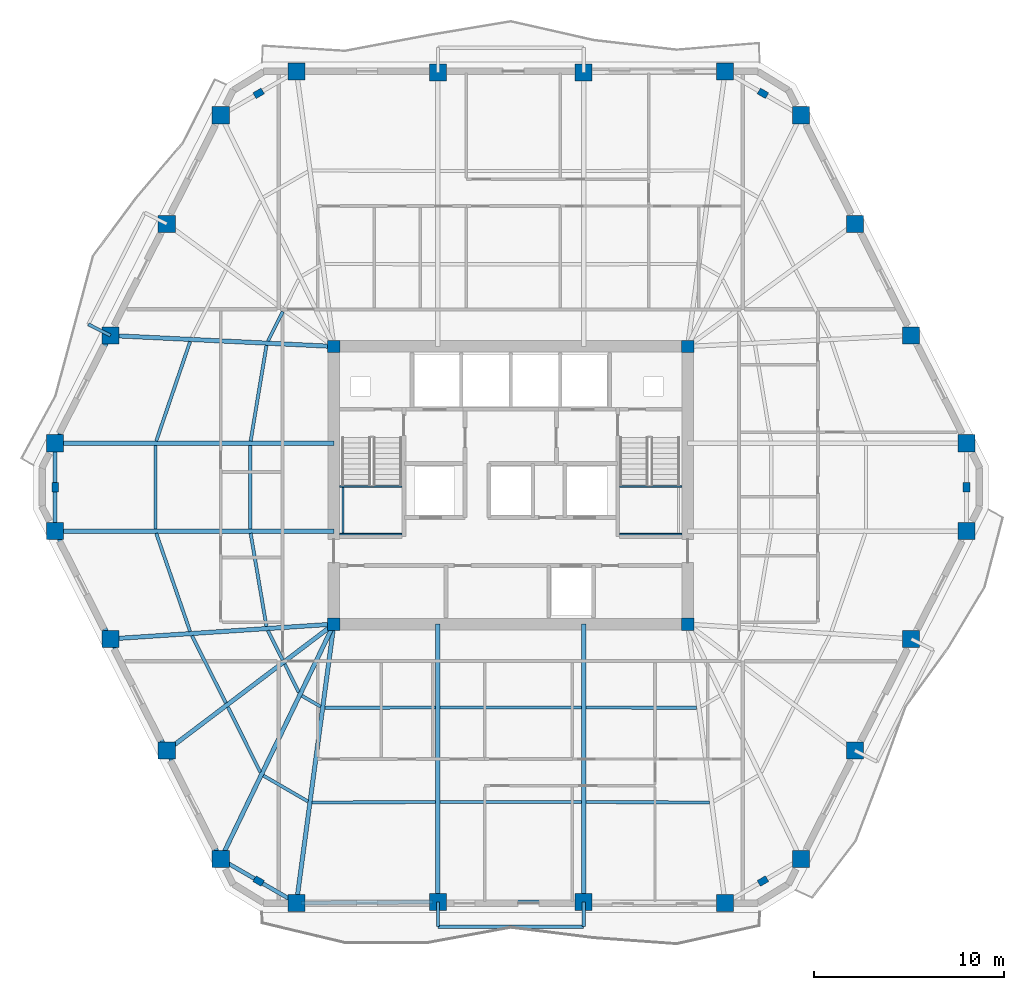
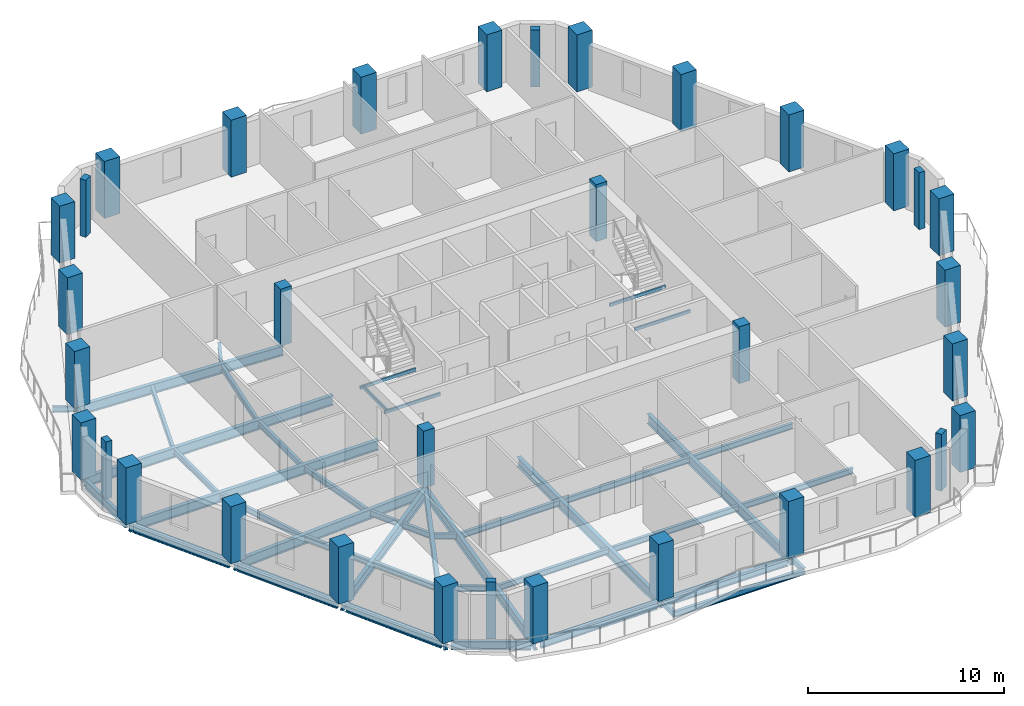
# One storey, part 1 of 10: 45 beams, 34 columns.
"""IFC4 building model written with IfcOpenShell, lengths in metres."""

from ifc_helpers import new_model, si_unit, direction, frame, origin, origin_2d, place, context, subcontext, project, spatial, rectangle, hollow_rectangle, i_section, extrude, material, material_profile, profile_set, type_object, element, save


model = new_model("IFC4")

# Units and contexts
model_context = context("Model", 3, precision=1e-05, world=origin(), true_north=direction((0.0, 1.0)))
body_context = subcontext(model_context, "Body", "Model", "MODEL_VIEW")
ifc_project = project(units=[si_unit("LENGTHUNIT", "METRE"), si_unit("AREAUNIT", "SQUARE_METRE"), si_unit("VOLUMEUNIT", "CUBIC_METRE"), si_unit("PLANEANGLEUNIT", "RADIAN"), si_unit("MASSUNIT", "GRAM", prefix="KILO")], contexts=[model_context])

# Site, building, storey
site_placement = place(None, origin())
site = spatial("IfcSite", under=ifc_project, at=site_placement, CompositionType="ELEMENT")
building_placement = place(site_placement, origin())
building = spatial("IfcBuilding", under=site, at=building_placement, Name="Cinnabar Lancet Tower", CompositionType="ELEMENT")
storey_placement = place(building_placement, frame((0.0, 0.0, 160.60009765625)))
storey = spatial("IfcBuildingStorey", under=building, at=storey_placement, Name="L42", CompositionType="ELEMENT", Elevation=160.60009765625)

# Columns
ifc_material_1 = material(Name="Concrete C60/75", Category="concrete")
ifc_material_profile_1 = material_profile(ifc_material_1, rectangle(XDim=0.64990234375, YDim=0.64990234375, at=origin_2d()), Name="RC-COL 650x650")
ifc_profile_set_1 = profile_set([ifc_material_profile_1], Name="Concrete C60/75")
column_type_1 = type_object("IfcColumnType", Name="STR-COL-CORE-650", PredefinedType="COLUMN", material=ifc_profile_set_1)
for number, where, z_axis, x_axis, name in (
    (1, (23.10009765625, 18.60009765625, 0.0), (0.0, 0.0, 1.0), (1.0, 0.0, 0.0), "L42 Core Corner Column SW"),
    (2, (41.699951171875, 18.60009765625, 0.0), (0.0, 0.0, 1.0), (1.0, 0.0, 0.0), "L42 Core Corner Column SE"),
    (3, (41.699951171875, 33.199951171875, 0.0), (0.0, 0.0, 1.0), (1.0, 0.0, 0.0), "L42 Core Corner Column NE"),
    (4, (23.10009765625, 33.199951171875, 0.0), (0.0, 0.0, 1.0), (1.0, 0.0, 0.0), "L42 Core Corner Column NW"),
):
    element("IfcColumn", number, at=place(storey_placement, frame(where, z_axis=z_axis, x_axis=x_axis)), inside=storey, type_object=column_type_1, Name=name, PredefinedType="COLUMN", context=body_context, shape_type="SweptSolid", body=[
        extrude(rectangle(XDim=0.64990234375, YDim=0.64990234375, at=origin_2d()), origin(), (0.0, 0.0, 1.0), 3.5498046875),
    ])
ifc_material_2 = material(Name="Concrete C60/75", Category="concrete")
ifc_material_profile_2 = material_profile(ifc_material_2, rectangle(XDim=0.5, YDim=0.35009765625, at=origin_2d()), Name="RC-PIL 500x350")
ifc_profile_set_2 = profile_set([ifc_material_profile_2], Name="Concrete C60/75")
column_type_2 = type_object("IfcColumnType", Name="STR-COL-PIL-500", PredefinedType="PILASTER", material=ifc_profile_set_2)
for number, where, z_axis, x_axis, name in (
    (5, (19.14111328125, 5.093017578125, 0.0), (0.0, 0.0, 1.0), (0.865160173452, -0.501495637342, 0.0), "L42 Chamfered Corner Pilaster 1"),
    (6, (45.658935546875, 5.093017578125, 0.0), (0.0, 0.0, 1.0), (0.865160173452, 0.501495637342, 0.0), "L42 Chamfered Corner Pilaster 2"),
    (7, (56.35693359375, 25.800048828125, 0.0), (0.0, 0.0, 1.0), (0.0, 1.0, 0.0), "L42 Chamfered Corner Pilaster 3"),
    (8, (45.658935546875, 46.508056640625, 0.0), (0.0, 0.0, 1.0), (-0.865160173452, 0.501495637342, 0.0), "L42 Chamfered Corner Pilaster 4"),
    (9, (19.14111328125, 46.508056640625, 0.0), (0.0, 0.0, 1.0), (-0.865160173452, -0.501495637342, 0.0), "L42 Chamfered Corner Pilaster 5"),
    (10, (8.443115234375, 25.800048828125, 0.0), (0.0, 0.0, 1.0), (0.0, -1.0, 0.0), "L42 Chamfered Corner Pilaster 6"),
):
    element("IfcColumn", number, at=place(storey_placement, frame(where, z_axis=z_axis, x_axis=x_axis)), inside=storey, type_object=column_type_2, Name=name, PredefinedType="PILASTER", context=body_context, shape_type="SweptSolid", body=[
        extrude(rectangle(XDim=0.5, YDim=0.35009765625, at=origin_2d()), origin(), (0.0, 0.0, 1.0), 3.5498046875),
    ])
ifc_material_3 = material(Name="Concrete C60/75", Category="concrete")
ifc_material_profile_3 = material_profile(ifc_material_3, rectangle(XDim=0.89990234375, YDim=0.89990234375, at=origin_2d()), Name="RC-COL 900x900")
ifc_profile_set_3 = profile_set([ifc_material_profile_3], Name="Concrete C60/75")
column_type_3 = type_object("IfcColumnType", Name="STR-COL-TUBE-900", PredefinedType="COLUMN", material=ifc_profile_set_3)
for number, where, z_axis, x_axis, name in (
    (11, (21.131103515625, 3.93896484375, 0.0), (0.0, 0.0, 1.0), (1.0, 0.0, 0.0), "L42 Perimeter Tube Column 1"),
    (12, (28.568115234375, 3.991943359375, 0.0), (0.0, 0.0, 1.0), (1.0, 0.0, 0.0), "L42 Perimeter Tube Column 2"),
    (13, (36.23193359375, 3.991943359375, 0.0), (0.0, 0.0, 1.0), (1.0, 0.0, 0.0), "L42 Perimeter Tube Column 3"),
    (14, (43.6689453125, 3.93896484375, 0.0), (0.0, 0.0, 1.0), (1.0, 0.0, 0.0), "L42 Perimeter Tube Column 4"),
    (15, (47.64892578125, 6.24609375, 0.0), (0.0, 0.0, 1.0), (1.0, 0.0, 0.0), "L42 Perimeter Tube Column 5"),
    (16, (50.489013671875, 11.955078125, 0.0), (0.0, 0.0, 1.0), (1.0, 0.0, 0.0), "L42 Perimeter Tube Column 6"),
    (17, (53.451904296875, 17.823974609375, 0.0), (0.0, 0.0, 1.0), (1.0, 0.0, 0.0), "L42 Perimeter Tube Column 7"),
    (18, (56.35693359375, 23.490966796875, 0.0), (0.0, 0.0, 1.0), (1.0, 0.0, 0.0), "L42 Perimeter Tube Column 8"),
    (19, (56.35693359375, 28.10888671875, 0.0), (0.0, 0.0, 1.0), (1.0, 0.0, 0.0), "L42 Perimeter Tube Column 9"),
    (20, (53.451904296875, 33.77587890625, 0.0), (0.0, 0.0, 1.0), (1.0, 0.0, 0.0), "L42 Perimeter Tube Column 10"),
    (21, (50.489013671875, 39.64501953125, 0.0), (0.0, 0.0, 1.0), (1.0, 0.0, 0.0), "L42 Perimeter Tube Column 11"),
    (22, (47.64892578125, 45.35400390625, 0.0), (0.0, 0.0, 1.0), (1.0, 0.0, 0.0), "L42 Perimeter Tube Column 12"),
    (23, (43.6689453125, 47.660888671875, 0.0), (0.0, 0.0, 1.0), (1.0, 0.0, 0.0), "L42 Perimeter Tube Column 13"),
    (24, (36.23193359375, 47.60791015625, 0.0), (0.0, 0.0, 1.0), (1.0, 0.0, 0.0), "L42 Perimeter Tube Column 14"),
    (25, (28.568115234375, 47.60791015625, 0.0), (0.0, 0.0, 1.0), (1.0, 0.0, 0.0), "L42 Perimeter Tube Column 15"),
    (26, (21.131103515625, 47.660888671875, 0.0), (0.0, 0.0, 1.0), (1.0, 0.0, 0.0), "L42 Perimeter Tube Column 16"),
    (27, (17.15087890625, 45.35400390625, 0.0), (0.0, 0.0, 1.0), (1.0, 0.0, 0.0), "L42 Perimeter Tube Column 17"),
    (28, (14.31103515625, 39.64501953125, 0.0), (0.0, 0.0, 1.0), (1.0, 0.0, 0.0), "L42 Perimeter Tube Column 18"),
    (29, (11.347900390625, 33.77587890625, 0.0), (0.0, 0.0, 1.0), (1.0, 0.0, 0.0), "L42 Perimeter Tube Column 19"),
    (30, (8.443115234375, 28.10888671875, 0.0), (0.0, 0.0, 1.0), (1.0, 0.0, 0.0), "L42 Perimeter Tube Column 20"),
    (31, (8.443115234375, 23.490966796875, 0.0), (0.0, 0.0, 1.0), (1.0, 0.0, 0.0), "L42 Perimeter Tube Column 21"),
    (32, (11.347900390625, 17.823974609375, 0.0), (0.0, 0.0, 1.0), (1.0, 0.0, 0.0), "L42 Perimeter Tube Column 22"),
    (33, (14.31103515625, 11.955078125, 0.0), (0.0, 0.0, 1.0), (1.0, 0.0, 0.0), "L42 Perimeter Tube Column 23"),
    (34, (17.15087890625, 6.24609375, 0.0), (0.0, 0.0, 1.0), (1.0, 0.0, 0.0), "L42 Perimeter Tube Column 24"),
):
    element("IfcColumn", number, at=place(storey_placement, frame(where, z_axis=z_axis, x_axis=x_axis)), inside=storey, type_object=column_type_3, Name=name, PredefinedType="COLUMN", context=body_context, shape_type="SweptSolid", body=[
        extrude(rectangle(XDim=0.89990234375, YDim=0.89990234375, at=origin_2d()), origin(), (0.0, 0.0, 1.0), 3.5498046875),
    ])

# Beams
ifc_material_4 = material(Name="Structural steel S355", Category="steel")
ifc_material_profile_4 = material_profile(ifc_material_4, i_section(OverallWidth=0.17138671875, OverallDepth=0.35498046875, WebThickness=0.00732421875, FlangeThickness=0.011474609375, FilletRadius=0.01025390625, at=origin_2d()), Name="UKB 356x171x51")
ifc_profile_set_4 = profile_set([ifc_material_profile_4], Name="Structural steel S355")
beam_type_1 = type_object("IfcBeamType", Name="STR-BM-JST-356", PredefinedType="JOIST", material=ifc_profile_set_4)
beam_1_placement = place(storey_placement, frame((13.759033203125, 23.376953125, -0.38818359375), z_axis=(0.326162915393, -0.945313573701, 0.0), x_axis=(0.945313573701, 0.326162915393, 0.0)))
element("IfcBeam", 35, at=beam_1_placement, inside=storey, type_object=beam_type_1, Name="L42 Secondary Floor Joist 1", PredefinedType="JOIST", context=body_context, shape_type="SweptSolid", body=[
    extrude(i_section(OverallWidth=0.17138671875, OverallDepth=0.35498046875, WebThickness=0.00732421875, FlangeThickness=0.011474609375, FilletRadius=0.01025390625, at=origin_2d()), origin(), (0.0, 0.0, 1.0), 5.46044921875),
])
beam_2_placement = place(storey_placement, frame((18.721923828125, 23.376953125, -0.38818359375), z_axis=(0.167697718414, -0.985838463055, 0.0), x_axis=(0.985838463055, 0.167697718414, 0.0)))
element("IfcBeam", 36, at=beam_2_placement, inside=storey, type_object=beam_type_1, Name="L42 Secondary Floor Joist 2", PredefinedType="JOIST", context=body_context, shape_type="SweptSolid", body=[
    extrude(i_section(OverallWidth=0.17138671875, OverallDepth=0.35498046875, WebThickness=0.00732421875, FlangeThickness=0.011474609375, FilletRadius=0.01025390625, at=origin_2d()), origin(), (0.0, 0.0, 1.0), 4.96728515625),
])
beam_3_placement = place(storey_placement, frame((15.635009765625, 17.992919921875, -0.38818359375), z_axis=(0.450656035687, -0.892697674187, 0.0), x_axis=(0.892697674187, 0.450656035687, 0.0)))
element("IfcBeam", 37, at=beam_3_placement, inside=storey, type_object=beam_type_1, Name="L42 Secondary Floor Joist 3", PredefinedType="JOIST", context=body_context, shape_type="SweptSolid", body=[
    extrude(i_section(OverallWidth=0.17138671875, OverallDepth=0.35498046875, WebThickness=0.00732421875, FlangeThickness=0.011474609375, FilletRadius=0.01025390625, at=origin_2d()), origin(), (0.0, 0.0, 1.0), 3.9677734375),
])
beam_4_placement = place(storey_placement, frame((19.6298828125, 18.257080078125, -0.38818359375), z_axis=(0.45064755491, -0.892701955444, 0.0), x_axis=(0.892701955444, 0.45064755491, 0.0)))
element("IfcBeam", 38, at=beam_4_placement, inside=storey, type_object=beam_type_1, Name="L42 Secondary Floor Joist 4", PredefinedType="JOIST", context=body_context, shape_type="SweptSolid", body=[
    extrude(i_section(OverallWidth=0.17138671875, OverallDepth=0.35498046875, WebThickness=0.00732421875, FlangeThickness=0.011474609375, FilletRadius=0.01025390625, at=origin_2d()), origin(), (0.0, 0.0, 1.0), 1.733154296875),
])
beam_5_placement = place(storey_placement, frame((17.527099609375, 14.242919921875, -0.38818359375), z_axis=(0.445320605596, -0.895371184611, 0.0), x_axis=(0.895371184611, 0.445320605596, 0.0)))
element("IfcBeam", 39, at=beam_5_placement, inside=storey, type_object=beam_type_1, Name="L42 Secondary Floor Joist 5", PredefinedType="JOIST", context=body_context, shape_type="SweptSolid", body=[
    extrude(i_section(OverallWidth=0.17138671875, OverallDepth=0.35498046875, WebThickness=0.00732421875, FlangeThickness=0.011474609375, FilletRadius=0.01025390625, at=origin_2d()), origin(), (0.0, 0.0, 1.0), 3.819580078125),
])
beam_6_placement = place(storey_placement, frame((20.514892578125, 16.5029296875, -0.38818359375), z_axis=(0.445322008813, -0.895370486708, 0.0), x_axis=(0.895370486708, 0.445322008813, 0.0)))
element("IfcBeam", 40, at=beam_6_placement, inside=storey, type_object=beam_type_1, Name="L42 Secondary Floor Joist 6", PredefinedType="JOIST", context=body_context, shape_type="SweptSolid", body=[
    extrude(i_section(OverallWidth=0.17138671875, OverallDepth=0.35498046875, WebThickness=0.00732421875, FlangeThickness=0.011474609375, FilletRadius=0.01025390625, at=origin_2d()), origin(), (0.0, 0.0, 1.0), 1.65283203125),
])
beam_7_placement = place(storey_placement, frame((19.39208984375, 10.635986328125, -0.38818359375), z_axis=(0.865150214692, -0.501512817403, 0.0), x_axis=(0.501512817403, 0.865150214692, 0.0)))
element("IfcBeam", 41, at=beam_7_placement, inside=storey, type_object=beam_type_1, Name="L42 Secondary Floor Joist 7", PredefinedType="JOIST", context=body_context, shape_type="SweptSolid", body=[
    extrude(i_section(OverallWidth=0.17138671875, OverallDepth=0.35498046875, WebThickness=0.00732421875, FlangeThickness=0.011474609375, FilletRadius=0.01025390625, at=origin_2d()), origin(), (0.0, 0.0, 1.0), 2.70556640625),
])
beam_8_placement = place(storey_placement, frame((21.4140625, 14.8359375, -0.38818359375), z_axis=(0.865426285481, -0.501036270542, 0.0), x_axis=(0.501036270542, 0.865426285481, 0.0)))
element("IfcBeam", 42, at=beam_8_placement, inside=storey, type_object=beam_type_1, Name="L42 Secondary Floor Joist 8", PredefinedType="JOIST", context=body_context, shape_type="SweptSolid", body=[
    extrude(i_section(OverallWidth=0.17138671875, OverallDepth=0.35498046875, WebThickness=0.00732421875, FlangeThickness=0.011474609375, FilletRadius=0.01025390625, at=origin_2d()), origin(), (0.0, 0.0, 1.0), 1.1416015625),
])
beam_9_placement = place(storey_placement, frame((21.955078125, 9.218017578125, -0.38818359375), z_axis=(0.999987891549, 0.004921052359, 0.0), x_axis=(-0.004921052359, 0.999987891549, 0.0)))
element("IfcBeam", 43, at=beam_9_placement, inside=storey, type_object=beam_type_1, Name="L42 Secondary Floor Joist 9", PredefinedType="JOIST", context=body_context, shape_type="SweptSolid", body=[
    extrude(i_section(OverallWidth=0.17138671875, OverallDepth=0.35498046875, WebThickness=0.00732421875, FlangeThickness=0.011474609375, FilletRadius=0.01025390625, at=origin_2d()), origin(), (0.0, 0.0, 1.0), 6.4990234375),
])
beam_10_placement = place(storey_placement, frame((22.6240234375, 14.201904296875, -0.38818359375), z_axis=(0.999996629591, 0.002596306157, 0.0), x_axis=(-0.002596306157, 0.999996629591, 0.0)))
element("IfcBeam", 44, at=beam_10_placement, inside=storey, type_object=beam_type_1, Name="L42 Secondary Floor Joist 10", PredefinedType="JOIST", context=body_context, shape_type="SweptSolid", body=[
    extrude(i_section(OverallWidth=0.17138671875, OverallDepth=0.35498046875, WebThickness=0.00732421875, FlangeThickness=0.011474609375, FilletRadius=0.01025390625, at=origin_2d()), origin(), (0.0, 0.0, 1.0), 5.830078125),
])
for number, where, z_axis, x_axis, name in (
    (45, (28.681884765625, 9.2509765625, -0.38818359375), (1.0, 0.0, 0.0), (0.0, 1.0, 0.0), "L42 Secondary Floor Joist 11"),
    (46, (28.681884765625, 14.218017578125, -0.38818359375), (1.0, 0.0, 0.0), (0.0, 1.0, 0.0), "L42 Secondary Floor Joist 12"),
):
    element("IfcBeam", number, at=place(storey_placement, frame(where, z_axis=z_axis, x_axis=x_axis)), inside=storey, type_object=beam_type_1, Name=name, PredefinedType="JOIST", context=body_context, shape_type="SweptSolid", body=[
        extrude(i_section(OverallWidth=0.17138671875, OverallDepth=0.35498046875, WebThickness=0.00732421875, FlangeThickness=0.011474609375, FilletRadius=0.01025390625, at=origin_2d()), origin(), (0.0, 0.0, 1.0), 7.43603515625),
    ])
beam_11_placement = place(storey_placement, frame((36.345947265625, 9.25, -0.38818359375), z_axis=(0.999987891549, -0.004921052359, 0.0), x_axis=(0.004921052359, 0.999987891549, 0.0)))
element("IfcBeam", 47, at=beam_11_placement, inside=storey, type_object=beam_type_1, Name="L42 Secondary Floor Joist 13", PredefinedType="JOIST", context=body_context, shape_type="SweptSolid", body=[
    extrude(i_section(OverallWidth=0.17138671875, OverallDepth=0.35498046875, WebThickness=0.00732421875, FlangeThickness=0.011474609375, FilletRadius=0.01025390625, at=origin_2d()), origin(), (0.0, 0.0, 1.0), 6.4990234375),
])
beam_12_placement = place(storey_placement, frame((36.345947265625, 14.217041015625, -0.38818359375), z_axis=(0.999996629591, -0.002596306157, 0.0), x_axis=(0.002596306157, 0.999996629591, 0.0)))
element("IfcBeam", 48, at=beam_12_placement, inside=storey, type_object=beam_type_1, Name="L42 Secondary Floor Joist 14", PredefinedType="JOIST", context=body_context, shape_type="SweptSolid", body=[
    extrude(i_section(OverallWidth=0.17138671875, OverallDepth=0.35498046875, WebThickness=0.00732421875, FlangeThickness=0.011474609375, FilletRadius=0.01025390625, at=origin_2d()), origin(), (0.0, 0.0, 1.0), 5.830078125),
])
beam_13_placement = place(storey_placement, frame((20.410888671875, 35.030029296875, -0.38818359375), z_axis=(-0.45031262143, -0.892870955391, 0.0), x_axis=(0.892870955391, -0.45031262143, 0.0)))
element("IfcBeam", 49, at=beam_13_placement, inside=storey, type_object=beam_type_1, Name="L42 Secondary Floor Joist 44", PredefinedType="JOIST", context=body_context, shape_type="SweptSolid", body=[
    extrude(i_section(OverallWidth=0.17138671875, OverallDepth=0.35498046875, WebThickness=0.00732421875, FlangeThickness=0.011474609375, FilletRadius=0.01025390625, at=origin_2d()), origin(), (0.0, 0.0, 1.0), 1.731689453125),
])
beam_14_placement = place(storey_placement, frame((15.5400390625, 33.4560546875, -0.38818359375), z_axis=(-0.322342106762, -0.946623244067, 0.0), x_axis=(0.946623244067, -0.322342106762, 0.0)))
element("IfcBeam", 50, at=beam_14_placement, inside=storey, type_object=beam_type_1, Name="L42 Secondary Floor Joist 45", PredefinedType="JOIST", context=body_context, shape_type="SweptSolid", body=[
    extrude(i_section(OverallWidth=0.17138671875, OverallDepth=0.35498046875, WebThickness=0.00732421875, FlangeThickness=0.011474609375, FilletRadius=0.01025390625, at=origin_2d()), origin(), (0.0, 0.0, 1.0), 5.5283203125),
])
beam_15_placement = place(storey_placement, frame((19.555908203125, 33.259033203125, -0.38818359375), z_axis=(-0.163375154205, -0.98656401667, 0.0), x_axis=(0.98656401667, -0.163375154205, 0.0)))
element("IfcBeam", 51, at=beam_15_placement, inside=storey, type_object=beam_type_1, Name="L42 Secondary Floor Joist 46", PredefinedType="JOIST", context=body_context, shape_type="SweptSolid", body=[
    extrude(i_section(OverallWidth=0.17138671875, OverallDepth=0.35498046875, WebThickness=0.00732421875, FlangeThickness=0.011474609375, FilletRadius=0.01025390625, at=origin_2d()), origin(), (0.0, 0.0, 1.0), 5.104736328125),
])
for number, where, z_axis, x_axis, name in (
    (52, (13.719970703125, 27.9951171875, -0.38818359375), (0.0, -1.0, 0.0), (1.0, 0.0, 0.0), "L42 Secondary Floor Joist 47"),
    (53, (18.702880859375, 27.9951171875, -0.38818359375), (0.0, -1.0, 0.0), (1.0, 0.0, 0.0), "L42 Secondary Floor Joist 48"),
):
    element("IfcBeam", number, at=place(storey_placement, frame(where, z_axis=z_axis, x_axis=x_axis)), inside=storey, type_object=beam_type_1, Name=name, PredefinedType="JOIST", context=body_context, shape_type="SweptSolid", body=[
        extrude(i_section(OverallWidth=0.17138671875, OverallDepth=0.35498046875, WebThickness=0.00732421875, FlangeThickness=0.011474609375, FilletRadius=0.01025390625, at=origin_2d()), origin(), (0.0, 0.0, 1.0), 4.39013671875),
    ])
ifc_material_5 = material(Name="Structural steel S355", Category="steel")
ifc_material_profile_5 = material_profile(ifc_material_5, hollow_rectangle(XDim=0.10009765625, YDim=0.199951171875, WallThickness=0.008056640625, InnerFilletRadius=0.00390625, OuterFilletRadius=0.011962890625, at=origin_2d()), Name="RHS 200x100x8")
ifc_profile_set_5 = profile_set([ifc_material_profile_5], Name="Structural steel S355")
beam_type_2 = type_object("IfcBeamType", Name="STR-BM-LND-203", PredefinedType="BEAM", material=ifc_profile_set_5)
for number, where, z_axis, x_axis, name in (
    (54, (23.39990234375, 23.330078125, 1.474853515625), (1.0, 0.0, 0.0), (0.0, 1.0, 0.0), "L42 ST-1-L42 Landing Support Beam S"),
    (55, (23.39990234375, 25.844970703125, 1.474853515625), (1.0, 0.0, 0.0), (0.0, 1.0, 0.0), "L42 ST-1-L42 Landing Support Beam N"),
):
    element("IfcBeam", number, at=place(storey_placement, frame(where, z_axis=z_axis, x_axis=x_axis)), inside=storey, type_object=beam_type_2, Name=name, PredefinedType="BEAM", context=body_context, shape_type="SweptSolid", body=[
        extrude(hollow_rectangle(XDim=0.10009765625, YDim=0.199951171875, WallThickness=0.008056640625, InnerFilletRadius=0.00390625, OuterFilletRadius=0.011962890625, at=origin_2d()), origin(), (0.0, 0.0, 1.0), 3.280029296875),
    ])
beam_16_placement = place(storey_placement, frame((23.580078125, 23.3798828125, 1.474853515625), z_axis=(0.0, 1.0, 0.0), x_axis=(-1.0, 0.0, 0.0)))
element("IfcBeam", 56, at=beam_16_placement, inside=storey, type_object=beam_type_2, Name="L42 ST-1-L42 Landing Side Trimmer Beam", PredefinedType="BEAM", context=body_context, shape_type="SweptSolid", body=[
    extrude(hollow_rectangle(XDim=0.10009765625, YDim=0.199951171875, WallThickness=0.008056640625, InnerFilletRadius=0.00390625, OuterFilletRadius=0.011962890625, at=origin_2d()), origin(), (0.0, 0.0, 1.0), 2.4150390625),
])
for number, where, z_axis, x_axis, name in (
    (57, (38.1201171875, 23.330078125, 1.474853515625), (1.0, 0.0, 0.0), (0.0, 1.0, 0.0), "L42 ST-2-L42 Landing Support Beam S"),
    (58, (38.1201171875, 25.844970703125, 1.474853515625), (1.0, 0.0, 0.0), (0.0, 1.0, 0.0), "L42 ST-2-L42 Landing Support Beam N"),
):
    element("IfcBeam", number, at=place(storey_placement, frame(where, z_axis=z_axis, x_axis=x_axis)), inside=storey, type_object=beam_type_2, Name=name, PredefinedType="BEAM", context=body_context, shape_type="SweptSolid", body=[
        extrude(hollow_rectangle(XDim=0.10009765625, YDim=0.199951171875, WallThickness=0.008056640625, InnerFilletRadius=0.00390625, OuterFilletRadius=0.011962890625, at=origin_2d()), origin(), (0.0, 0.0, 1.0), 3.27978515625),
    ])
ifc_material_6 = material(Name="Structural steel S355", Category="steel")
ifc_material_profile_6 = material_profile(ifc_material_6, i_section(OverallWidth=0.209228515625, OverallDepth=0.533203125, WebThickness=0.010009765625, FlangeThickness=0.015625, FilletRadius=0.0126953125, at=origin_2d()), Name="UKB 533x210x92")
ifc_profile_set_6 = profile_set([ifc_material_profile_6], Name="Structural steel S355")
beam_type_3 = type_object("IfcBeamType", Name="STR-BM-SPN-533", PredefinedType="SPANDREL", material=ifc_profile_set_6)
beam_17_placement = place(storey_placement, frame((21.381103515625, 3.94091796875, -0.47705078125), z_axis=(0.999974980359, 0.007073800628, 0.0), x_axis=(-0.007073800628, 0.999974980359, 0.0)))
element("IfcBeam", 59, at=beam_17_placement, inside=storey, type_object=beam_type_3, Name="L42 Perimeter Spandrel 1", PredefinedType="SPANDREL", context=body_context, shape_type="SweptSolid", body=[
    extrude(i_section(OverallWidth=0.209228515625, OverallDepth=0.533203125, WebThickness=0.010009765625, FlangeThickness=0.015625, FilletRadius=0.0126953125, at=origin_2d()), origin(), (0.0, 0.0, 1.0), 6.937255859375),
])
beam_18_placement = place(storey_placement, frame((28.818115234375, 3.991943359375, -0.47705078125), z_axis=(1.0, 0.0, 0.0), x_axis=(0.0, 1.0, 0.0)))
element("IfcBeam", 60, at=beam_18_placement, inside=storey, type_object=beam_type_3, Name="L42 Perimeter Spandrel 2", PredefinedType="SPANDREL", context=body_context, shape_type="SweptSolid", body=[
    extrude(i_section(OverallWidth=0.209228515625, OverallDepth=0.533203125, WebThickness=0.010009765625, FlangeThickness=0.015625, FilletRadius=0.0126953125, at=origin_2d()), origin(), (0.0, 0.0, 1.0), 7.163818359375),
])
beam_19_placement = place(storey_placement, frame((11.23388671875, 33.553955078125, -0.47705078125), z_axis=(-0.456126618405, -0.889914888055, 0.0), x_axis=(0.889914888055, -0.456126618405, 0.0)))
element("IfcBeam", 61, at=beam_19_placement, inside=storey, type_object=beam_type_3, Name="L42 Perimeter Spandrel 19", PredefinedType="SPANDREL", context=body_context, shape_type="SweptSolid", body=[
    extrude(i_section(OverallWidth=0.209228515625, OverallDepth=0.533203125, WebThickness=0.010009765625, FlangeThickness=0.015625, FilletRadius=0.0126953125, at=origin_2d()), origin(), (0.0, 0.0, 1.0), 5.868896484375),
])
beam_20_placement = place(storey_placement, frame((8.443115234375, 27.85888671875, -0.47705078125), z_axis=(0.0, -1.0, 0.0), x_axis=(1.0, 0.0, 0.0)))
element("IfcBeam", 62, at=beam_20_placement, inside=storey, type_object=beam_type_3, Name="L42 Perimeter Spandrel 20", PredefinedType="SPANDREL", context=body_context, shape_type="SweptSolid", body=[
    extrude(i_section(OverallWidth=0.209228515625, OverallDepth=0.533203125, WebThickness=0.010009765625, FlangeThickness=0.015625, FilletRadius=0.0126953125, at=origin_2d()), origin(), (0.0, 0.0, 1.0), 4.117919921875),
])
beam_21_placement = place(storey_placement, frame((8.556884765625, 23.26904296875, -0.47705078125), z_axis=(0.456109733574, -0.889923542187, 0.0), x_axis=(0.889923542187, 0.456109733574, 0.0)))
element("IfcBeam", 63, at=beam_21_placement, inside=storey, type_object=beam_type_3, Name="L42 Perimeter Spandrel 21", PredefinedType="SPANDREL", context=body_context, shape_type="SweptSolid", body=[
    extrude(i_section(OverallWidth=0.209228515625, OverallDepth=0.533203125, WebThickness=0.010009765625, FlangeThickness=0.015625, FilletRadius=0.0126953125, at=origin_2d()), origin(), (0.0, 0.0, 1.0), 5.869140625),
])
beam_22_placement = place(storey_placement, frame((11.4609375, 17.60107421875, -0.47705078125), z_axis=(0.450570325924, -0.892740937449, 0.0), x_axis=(0.892740937449, 0.450570325924, 0.0)))
element("IfcBeam", 64, at=beam_22_placement, inside=storey, type_object=beam_type_3, Name="L42 Perimeter Spandrel 22", PredefinedType="SPANDREL", context=body_context, shape_type="SweptSolid", body=[
    extrude(i_section(OverallWidth=0.209228515625, OverallDepth=0.533203125, WebThickness=0.010009765625, FlangeThickness=0.015625, FilletRadius=0.0126953125, at=origin_2d()), origin(), (0.0, 0.0, 1.0), 6.07470703125),
])
beam_23_placement = place(storey_placement, frame((14.422119140625, 11.73095703125, -0.47705078125), z_axis=(0.445501068635, -0.89528140707, 0.0), x_axis=(0.89528140707, 0.445501068635, 0.0)))
element("IfcBeam", 65, at=beam_23_placement, inside=storey, type_object=beam_type_3, Name="L42 Perimeter Spandrel 23", PredefinedType="SPANDREL", context=body_context, shape_type="SweptSolid", body=[
    extrude(i_section(OverallWidth=0.209228515625, OverallDepth=0.533203125, WebThickness=0.010009765625, FlangeThickness=0.015625, FilletRadius=0.0126953125, at=origin_2d()), origin(), (0.0, 0.0, 1.0), 5.87646484375),
])
beam_24_placement = place(storey_placement, frame((17.366943359375, 6.12109375, -0.47705078125), z_axis=(0.865112299906, -0.501578217781, 0.0), x_axis=(0.501578217781, 0.865112299906, 0.0)))
element("IfcBeam", 66, at=beam_24_placement, inside=storey, type_object=beam_type_3, Name="L42 Perimeter Spandrel 24", PredefinedType="SPANDREL", context=body_context, shape_type="SweptSolid", body=[
    extrude(i_section(OverallWidth=0.209228515625, OverallDepth=0.533203125, WebThickness=0.010009765625, FlangeThickness=0.015625, FilletRadius=0.0126953125, at=origin_2d()), origin(), (0.0, 0.0, 1.0), 4.101318359375),
])
ifc_material_7 = material(Name="Structural steel S355", Category="steel")
ifc_material_profile_7 = material_profile(ifc_material_7, i_section(OverallWidth=0.228271484375, OverallDepth=0.607666015625, WebThickness=0.010986328125, FlangeThickness=0.017333984375, FilletRadius=0.0126953125, at=origin_2d()), Name="UKB 610x229x113")
ifc_profile_set_7 = profile_set([ifc_material_profile_7], Name="Structural steel S355")
beam_type_4 = type_object("IfcBeamType", Name="STR-BM-UKB610-113", PredefinedType="BEAM", material=ifc_profile_set_7)
beam_25_placement = place(storey_placement, frame((14.31103515625, 11.955078125, -0.51416015625), z_axis=(0.797675450227, 0.603086955675, 0.0), x_axis=(-0.603086955675, 0.797675450227, 0.0)))
element("IfcBeam", 67, at=beam_25_placement, inside=storey, type_object=beam_type_4, Name="L42 Corner Collector Girder 1", PredefinedType="BEAM", context=body_context, shape_type="SweptSolid", body=[
    extrude(i_section(OverallWidth=0.228271484375, OverallDepth=0.607666015625, WebThickness=0.010986328125, FlangeThickness=0.017333984375, FilletRadius=0.0126953125, at=origin_2d()), origin(), (0.0, 0.0, 1.0), 11.018310546875),
])
beam_26_placement = place(storey_placement, frame((21.131103515625, 3.93896484375, -0.51416015625), z_axis=(0.133105256814, 0.991101907277, 0.0), x_axis=(-0.991101907277, 0.133105256814, 0.0)))
element("IfcBeam", 68, at=beam_26_placement, inside=storey, type_object=beam_type_4, Name="L42 Primary Floor Girder 1", PredefinedType="BEAM", context=body_context, shape_type="SweptSolid", body=[
    extrude(i_section(OverallWidth=0.228271484375, OverallDepth=0.607666015625, WebThickness=0.010986328125, FlangeThickness=0.017333984375, FilletRadius=0.0126953125, at=origin_2d()), origin(), (0.0, 0.0, 1.0), 14.792724609375),
])
for number, where, z_axis, x_axis, name in (
    (69, (28.568115234375, 3.991943359375, -0.51416015625), (0.0, 1.0, 0.0), (-1.0, 0.0, 0.0), "L42 Primary Floor Girder 2"),
    (70, (36.23193359375, 3.991943359375, -0.51416015625), (0.0, 1.0, 0.0), (-1.0, 0.0, 0.0), "L42 Primary Floor Girder 3"),
):
    element("IfcBeam", number, at=place(storey_placement, frame(where, z_axis=z_axis, x_axis=x_axis)), inside=storey, type_object=beam_type_4, Name=name, PredefinedType="BEAM", context=body_context, shape_type="SweptSolid", body=[
        extrude(i_section(OverallWidth=0.228271484375, OverallDepth=0.607666015625, WebThickness=0.010986328125, FlangeThickness=0.017333984375, FilletRadius=0.0126953125, at=origin_2d()), origin(), (0.0, 0.0, 1.0), 14.608154296875),
    ])
beam_27_placement = place(storey_placement, frame((11.347900390625, 33.77587890625, -0.51416015625), z_axis=(0.99880136637, -0.048947221955, 0.0), x_axis=(0.048947221955, 0.99880136637, 0.0)))
element("IfcBeam", 71, at=beam_27_placement, inside=storey, type_object=beam_type_4, Name="L42 Primary Floor Girder 19", PredefinedType="BEAM", context=body_context, shape_type="SweptSolid", body=[
    extrude(i_section(OverallWidth=0.228271484375, OverallDepth=0.607666015625, WebThickness=0.010986328125, FlangeThickness=0.017333984375, FilletRadius=0.0126953125, at=origin_2d()), origin(), (0.0, 0.0, 1.0), 11.766357421875),
])
for number, where, z_axis, x_axis, name in (
    (72, (8.443115234375, 28.10888671875, -0.51416015625), (1.0, 0.0, 0.0), (0.0, 1.0, 0.0), "L42 Primary Floor Girder 20"),
    (73, (8.443115234375, 23.490966796875, -0.51416015625), (1.0, 0.0, 0.0), (0.0, 1.0, 0.0), "L42 Primary Floor Girder 21"),
):
    element("IfcBeam", number, at=place(storey_placement, frame(where, z_axis=z_axis, x_axis=x_axis)), inside=storey, type_object=beam_type_4, Name=name, PredefinedType="BEAM", context=body_context, shape_type="SweptSolid", body=[
        extrude(i_section(OverallWidth=0.228271484375, OverallDepth=0.607666015625, WebThickness=0.010986328125, FlangeThickness=0.017333984375, FilletRadius=0.0126953125, at=origin_2d()), origin(), (0.0, 0.0, 1.0), 14.656982421875),
    ])
beam_28_placement = place(storey_placement, frame((11.347900390625, 17.823974609375, -0.51416015625), z_axis=(0.997826421842, 0.065897131002, 0.0), x_axis=(-0.065897131002, 0.997826421842, 0.0)))
element("IfcBeam", 74, at=beam_28_placement, inside=storey, type_object=beam_type_4, Name="L42 Primary Floor Girder 22", PredefinedType="BEAM", context=body_context, shape_type="SweptSolid", body=[
    extrude(i_section(OverallWidth=0.228271484375, OverallDepth=0.607666015625, WebThickness=0.010986328125, FlangeThickness=0.017333984375, FilletRadius=0.0126953125, at=origin_2d()), origin(), (0.0, 0.0, 1.0), 11.77783203125),
])
beam_29_placement = place(storey_placement, frame((17.15087890625, 6.24609375, -0.51416015625), z_axis=(0.433874505515, 0.900973314513, 0.0), x_axis=(-0.900973314513, 0.433874505515, 0.0)))
element("IfcBeam", 75, at=beam_29_placement, inside=storey, type_object=beam_type_4, Name="L42 Primary Floor Girder 24", PredefinedType="BEAM", context=body_context, shape_type="SweptSolid", body=[
    extrude(i_section(OverallWidth=0.228271484375, OverallDepth=0.607666015625, WebThickness=0.010986328125, FlangeThickness=0.017333984375, FilletRadius=0.0126953125, at=origin_2d()), origin(), (0.0, 0.0, 1.0), 13.7119140625),
])
ifc_material_8 = material(Name="Structural steel S355", Category="steel")
ifc_material_profile_8 = material_profile(ifc_material_8, i_section(OverallWidth=0.17138671875, OverallDepth=0.35498046875, WebThickness=0.00732421875, FlangeThickness=0.011474609375, FilletRadius=0.01025390625, at=origin_2d()), Name="UKB 356x171x51")
ifc_profile_set_8 = profile_set([ifc_material_profile_8], Name="Structural steel S355")
beam_type_5 = type_object("IfcBeamType", Name="STR-BM-WAV-OUT", PredefinedType="BEAM", material=ifc_profile_set_8)
for number, where, z_axis, x_axis, name in (
    (76, (28.568115234375, 3.991943359375, -0.398193359375), (0.0, -1.0, 0.0), (1.0, 0.0, 0.0), "L42 Face 1 Balcony Outlooker A"),
    (77, (36.23193359375, 3.991943359375, -0.398193359375), (0.0, -1.0, 0.0), (1.0, 0.0, 0.0), "L42 Face 1 Balcony Outlooker B"),
    (78, (11.347900390625, 33.77587890625, -0.398193359375), (-0.892200264127, 0.451639998995, 0.0), (-0.451639998995, -0.892200264127, 0.0), "L42 Face 5 Balcony Outlooker B"),
):
    element("IfcBeam", number, at=place(storey_placement, frame(where, z_axis=z_axis, x_axis=x_axis)), inside=storey, type_object=beam_type_5, Name=name, PredefinedType="BEAM", context=body_context, shape_type="SweptSolid", body=[
        extrude(i_section(OverallWidth=0.17138671875, OverallDepth=0.35498046875, WebThickness=0.00732421875, FlangeThickness=0.011474609375, FilletRadius=0.01025390625, at=origin_2d()), origin(), (0.0, 0.0, 1.0), 1.300048828125),
    ])
ifc_material_9 = material(Name="Structural steel S355", Category="steel")
ifc_material_profile_9 = material_profile(ifc_material_9, i_section(OverallWidth=0.17138671875, OverallDepth=0.35498046875, WebThickness=0.00732421875, FlangeThickness=0.011474609375, FilletRadius=0.01025390625, at=origin_2d()), Name="UKB 356x171x51")
ifc_profile_set_9 = profile_set([ifc_material_profile_9], Name="Structural steel S355")
beam_type_6 = type_object("IfcBeamType", Name="STR-BM-WAV-TRIM", PredefinedType="SPANDREL", material=ifc_profile_set_9)
beam_30_placement = place(storey_placement, frame((28.568115234375, 2.69189453125, -0.398193359375), z_axis=(1.0, 0.0, 0.0), x_axis=(0.0, 1.0, 0.0)))
element("IfcBeam", 79, at=beam_30_placement, inside=storey, type_object=beam_type_6, Name="L42 Face 1 Balcony Edge Trimmer", PredefinedType="SPANDREL", context=body_context, shape_type="SweptSolid", body=[
    extrude(i_section(OverallWidth=0.17138671875, OverallDepth=0.35498046875, WebThickness=0.00732421875, FlangeThickness=0.011474609375, FilletRadius=0.01025390625, at=origin_2d()), origin(), (0.0, 0.0, 1.0), 7.663818359375),
])

save(model, "model.ifc")
